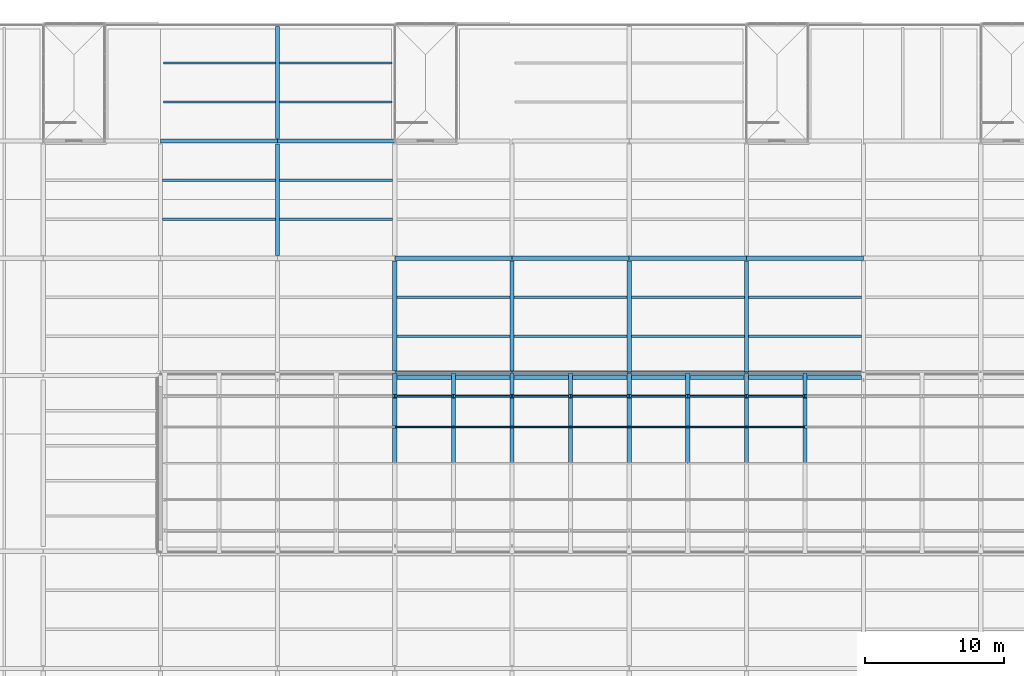
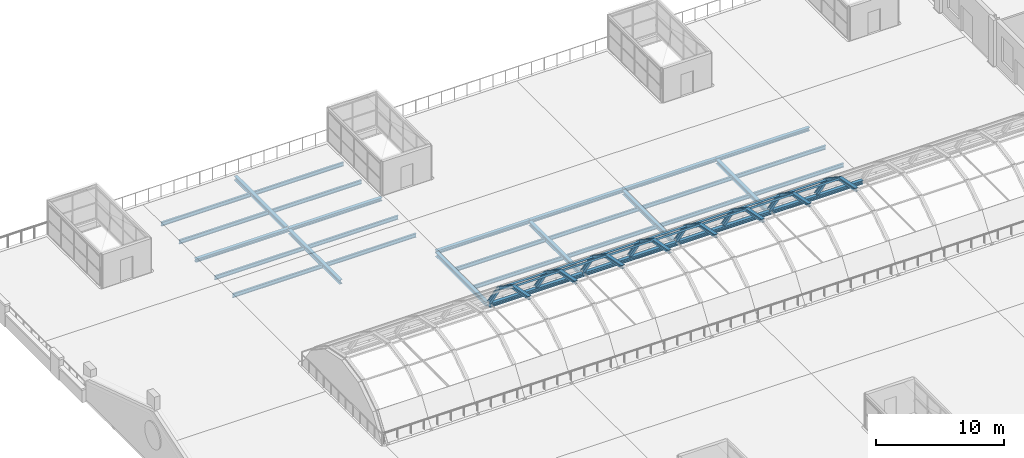
# One storey, part 19 of 58: 38 members, 36 beams.
"""IFC4 building model written with IfcOpenShell, lengths in metres."""

from ifc_helpers import new_model, si_unit, direction, frame, origin, origin_2d, place, context, subcontext, project, spatial, hollow_rectangle, i_section, extrude, material, material_profile, profile_set, type_object, element, save


model = new_model("IFC4")

# Units and contexts
model_context = context("Model", 3, precision=1e-05, world=origin(), true_north=direction((0.0, 1.0)))
body_context = subcontext(model_context, "Body", "Model", "MODEL_VIEW")
ifc_project = project(units=[si_unit("LENGTHUNIT", "METRE"), si_unit("AREAUNIT", "SQUARE_METRE"), si_unit("VOLUMEUNIT", "CUBIC_METRE"), si_unit("PLANEANGLEUNIT", "RADIAN"), si_unit("MASSUNIT", "GRAM", prefix="KILO")], contexts=[model_context])

# Site, building, storey
site_placement = place(None, origin())
site = spatial("IfcSite", under=ifc_project, at=site_placement, CompositionType="ELEMENT")
building_placement = place(site_placement, origin())
building = spatial("IfcBuilding", under=site, at=building_placement, Name="Galleria Vessillo Department Store", CompositionType="ELEMENT")
storey_placement = place(building_placement, frame((0.0, 0.0, 31.199951171875)))
storey = spatial("IfcBuildingStorey", under=building, at=storey_placement, Name="L06", CompositionType="ELEMENT", Elevation=31.199951171875)

# Beams
ifc_material_1 = material(Name="Steel S355 J2", Category="steel")
ifc_material_profile_1 = material_profile(ifc_material_1, i_section(OverallWidth=0.300048828125, OverallDepth=0.389892578125, WebThickness=0.010986328125, FlangeThickness=0.01904296875, FilletRadius=0.027099609375, at=origin_2d()), Name="HEA 400")
ifc_profile_set_1 = profile_set([ifc_material_profile_1], Name="Steel S355 J2")
beam_type_1 = type_object("IfcBeamType", Name="Floor girder HEA 400", PredefinedType="BEAM", material=ifc_profile_set_1)
for number, where, z_axis, x_axis, name in (
    (1, (25.199951171875, 46.400146484375, -0.39501953125), (0.0, 1.0, 0.0), (-1.0, 0.0, 0.0), "S-BM-L06-GI-y25200-46400"),
    (2, (25.199951171875, 54.800048828125, -0.39501953125), (0.0, 1.0, 0.0), (-1.0, 0.0, 0.0), "S-BM-L06-GI-y25200-54800"),
):
    element("IfcBeam", number, at=place(storey_placement, frame(where, z_axis=z_axis, x_axis=x_axis)), inside=storey, type_object=beam_type_1, Name=name, PredefinedType="BEAM", context=body_context, shape_type="SweptSolid", body=[
        extrude(i_section(OverallWidth=0.300048828125, OverallDepth=0.389892578125, WebThickness=0.010986328125, FlangeThickness=0.01904296875, FilletRadius=0.027099609375, at=origin_2d()), origin(), (0.0, 0.0, 1.0), 7.999755859375),
    ])
for number, where, z_axis, x_axis, name in (
    (3, (33.60009765625, 38.110107421875, -0.39501953125), (0.0, 1.0, 0.0), (-1.0, 0.0, 0.0), "S-BM-L06-GI-y33600-38110"),
    (4, (42.0, 38.110107421875, -0.39501953125), (0.0, 1.0, 0.0), (-1.0, 0.0, 0.0), "S-BM-L06-GI-y42000-38110"),
):
    element("IfcBeam", number, at=place(storey_placement, frame(where, z_axis=z_axis, x_axis=x_axis)), inside=storey, type_object=beam_type_1, Name=name, PredefinedType="BEAM", context=body_context, shape_type="SweptSolid", body=[
        extrude(i_section(OverallWidth=0.300048828125, OverallDepth=0.389892578125, WebThickness=0.010986328125, FlangeThickness=0.01904296875, FilletRadius=0.027099609375, at=origin_2d()), origin(), (0.0, 0.0, 1.0), 7.8896484375),
    ])
for number, where, z_axis, x_axis, name in (
    (5, (50.39990234375, 38.06201171875, -0.39501953125), (0.0, 1.0, 0.0), (-1.0, 0.0, 0.0), "S-BM-L06-GI-y50400-38062"),
    (6, (58.800048828125, 38.06201171875, -0.39501953125), (0.0, 1.0, 0.0), (-1.0, 0.0, 0.0), "S-BM-L06-GI-y58800-38062"),
):
    element("IfcBeam", number, at=place(storey_placement, frame(where, z_axis=z_axis, x_axis=x_axis)), inside=storey, type_object=beam_type_1, Name=name, PredefinedType="BEAM", context=body_context, shape_type="SweptSolid", body=[
        extrude(i_section(OverallWidth=0.300048828125, OverallDepth=0.389892578125, WebThickness=0.010986328125, FlangeThickness=0.01904296875, FilletRadius=0.027099609375, at=origin_2d()), origin(), (0.0, 0.0, 1.0), 7.937744140625),
    ])
ifc_material_2 = material(Name="Steel S355 J2", Category="steel")
ifc_material_profile_2 = material_profile(ifc_material_2, i_section(OverallWidth=0.169921875, OverallDepth=0.360107421875, WebThickness=0.008056640625, FlangeThickness=0.0126953125, FilletRadius=0.01806640625, at=origin_2d()), Name="IPE 360")
ifc_profile_set_2 = profile_set([ifc_material_profile_2], Name="Steel S355 J2")
beam_type_2 = type_object("IfcBeamType", Name="Floor joist IPE 360", PredefinedType="JOIST", material=ifc_profile_set_2)
for number, where, z_axis, x_axis, name in (
    (7, (16.9501953125, 49.0, -0.3798828125), (1.0, 0.0, 0.0), (0.0, 1.0, 0.0), "S-BM-L06-JO-x49000-16950"),
    (8, (16.9501953125, 51.800048828125, -0.3798828125), (1.0, 0.0, 0.0), (0.0, 1.0, 0.0), "S-BM-L06-JO-x51800-16950"),
):
    element("IfcBeam", number, at=place(storey_placement, frame(where, z_axis=z_axis, x_axis=x_axis)), inside=storey, type_object=beam_type_2, Name=name, PredefinedType="JOIST", context=body_context, shape_type="SweptSolid", body=[
        extrude(i_section(OverallWidth=0.169921875, OverallDepth=0.360107421875, WebThickness=0.008056640625, FlangeThickness=0.0126953125, FilletRadius=0.01806640625, at=origin_2d()), origin(), (0.0, 0.0, 1.0), 8.099609375),
    ])
for number, where, z_axis, x_axis, name in (
    (9, (17.000244140625, 57.39990234375, -0.3798828125), (1.0, 0.0, 0.0), (0.0, 1.0, 0.0), "S-BM-L06-JO-x57400-17000"),
    (10, (17.000244140625, 60.199951171875, -0.3798828125), (1.0, 0.0, 0.0), (0.0, 1.0, 0.0), "S-BM-L06-JO-x60200-17000"),
):
    element("IfcBeam", number, at=place(storey_placement, frame(where, z_axis=z_axis, x_axis=x_axis)), inside=storey, type_object=beam_type_2, Name=name, PredefinedType="JOIST", context=body_context, shape_type="SweptSolid", body=[
        extrude(i_section(OverallWidth=0.169921875, OverallDepth=0.360107421875, WebThickness=0.008056640625, FlangeThickness=0.0126953125, FilletRadius=0.01806640625, at=origin_2d()), origin(), (0.0, 0.0, 1.0), 8.049560546875),
    ])
for number, where, z_axis, x_axis, name in (
    (11, (25.35009765625, 49.0, -0.3798828125), (1.0, 0.0, 0.0), (0.0, 1.0, 0.0), "S-BM-L06-JO-x49000-25350"),
    (12, (25.35009765625, 51.800048828125, -0.3798828125), (1.0, 0.0, 0.0), (0.0, 1.0, 0.0), "S-BM-L06-JO-x51800-25350"),
):
    element("IfcBeam", number, at=place(storey_placement, frame(where, z_axis=z_axis, x_axis=x_axis)), inside=storey, type_object=beam_type_2, Name=name, PredefinedType="JOIST", context=body_context, shape_type="SweptSolid", body=[
        extrude(i_section(OverallWidth=0.169921875, OverallDepth=0.360107421875, WebThickness=0.008056640625, FlangeThickness=0.0126953125, FilletRadius=0.01806640625, at=origin_2d()), origin(), (0.0, 0.0, 1.0), 8.099853515625),
    ])
for number, where, z_axis, x_axis, name in (
    (13, (25.35009765625, 57.39990234375, -0.3798828125), (1.0, 0.0, 0.0), (0.0, 1.0, 0.0), "S-BM-L06-JO-x57400-25350"),
    (14, (25.35009765625, 60.199951171875, -0.3798828125), (1.0, 0.0, 0.0), (0.0, 1.0, 0.0), "S-BM-L06-JO-x60200-25350"),
):
    element("IfcBeam", number, at=place(storey_placement, frame(where, z_axis=z_axis, x_axis=x_axis)), inside=storey, type_object=beam_type_2, Name=name, PredefinedType="JOIST", context=body_context, shape_type="SweptSolid", body=[
        extrude(i_section(OverallWidth=0.169921875, OverallDepth=0.360107421875, WebThickness=0.008056640625, FlangeThickness=0.0126953125, FilletRadius=0.01806640625, at=origin_2d()), origin(), (0.0, 0.0, 1.0), 8.0498046875),
    ])
for number, where, z_axis, x_axis, name in (
    (15, (33.750244140625, 40.60009765625, -0.3798828125), (1.0, 0.0, 0.0), (0.0, 1.0, 0.0), "S-BM-L06-JO-x40600-33750"),
    (16, (33.750244140625, 43.39990234375, -0.3798828125), (1.0, 0.0, 0.0), (0.0, 1.0, 0.0), "S-BM-L06-JO-x43400-33750"),
    (17, (42.150146484375, 40.60009765625, -0.3798828125), (1.0, 0.0, 0.0), (0.0, 1.0, 0.0), "S-BM-L06-JO-x40600-42150"),
    (18, (42.150146484375, 43.39990234375, -0.3798828125), (1.0, 0.0, 0.0), (0.0, 1.0, 0.0), "S-BM-L06-JO-x43400-42150"),
):
    element("IfcBeam", number, at=place(storey_placement, frame(where, z_axis=z_axis, x_axis=x_axis)), inside=storey, type_object=beam_type_2, Name=name, PredefinedType="JOIST", context=body_context, shape_type="SweptSolid", body=[
        extrude(i_section(OverallWidth=0.169921875, OverallDepth=0.360107421875, WebThickness=0.008056640625, FlangeThickness=0.0126953125, FilletRadius=0.01806640625, at=origin_2d()), origin(), (0.0, 0.0, 1.0), 8.099609375),
    ])
for number, where, z_axis, x_axis, name in (
    (19, (50.550048828125, 40.60009765625, -0.3798828125), (1.0, 0.0, 0.0), (0.0, 1.0, 0.0), "S-BM-L06-JO-x40600-50550"),
    (20, (50.550048828125, 43.39990234375, -0.3798828125), (1.0, 0.0, 0.0), (0.0, 1.0, 0.0), "S-BM-L06-JO-x43400-50550"),
):
    element("IfcBeam", number, at=place(storey_placement, frame(where, z_axis=z_axis, x_axis=x_axis)), inside=storey, type_object=beam_type_2, Name=name, PredefinedType="JOIST", context=body_context, shape_type="SweptSolid", body=[
        extrude(i_section(OverallWidth=0.169921875, OverallDepth=0.360107421875, WebThickness=0.008056640625, FlangeThickness=0.0126953125, FilletRadius=0.01806640625, at=origin_2d()), origin(), (0.0, 0.0, 1.0), 8.099853515625),
    ])
for number, where, z_axis, x_axis, name in (
    (21, (58.9501953125, 40.60009765625, -0.3798828125), (1.0, 0.0, 0.0), (0.0, 1.0, 0.0), "S-BM-L06-JO-x40600-58950"),
    (22, (58.9501953125, 43.39990234375, -0.3798828125), (1.0, 0.0, 0.0), (0.0, 1.0, 0.0), "S-BM-L06-JO-x43400-58950"),
):
    element("IfcBeam", number, at=place(storey_placement, frame(where, z_axis=z_axis, x_axis=x_axis)), inside=storey, type_object=beam_type_2, Name=name, PredefinedType="JOIST", context=body_context, shape_type="SweptSolid", body=[
        extrude(i_section(OverallWidth=0.169921875, OverallDepth=0.360107421875, WebThickness=0.008056640625, FlangeThickness=0.0126953125, FilletRadius=0.01806640625, at=origin_2d()), origin(), (0.0, 0.0, 1.0), 8.099609375),
    ])
ifc_material_3 = material(Name="Steel S355 J2", Category="steel")
ifc_material_profile_3 = material_profile(ifc_material_3, i_section(OverallWidth=0.300048828125, OverallDepth=0.31005859375, WebThickness=0.009033203125, FlangeThickness=0.015380859375, FilletRadius=0.027099609375, at=origin_2d()), Name="HEA 320")
ifc_profile_set_3 = profile_set([ifc_material_profile_3], Name="Steel S355 J2")
beam_type_3 = type_object("IfcBeamType", Name="Floor tie girder HEA 320", PredefinedType="BEAM", material=ifc_profile_set_3)
for number, where, z_axis, x_axis, name in (
    (23, (33.60693359375, 46.199951171875, -0.35498046875), (1.0, 0.0, 0.0), (0.0, 1.0, 0.0), "S-BM-L06-TI-x46200-33607"),
    (24, (42.0068359375, 46.199951171875, -0.35498046875), (1.0, 0.0, 0.0), (0.0, 1.0, 0.0), "S-BM-L06-TI-x46200-42007"),
    (25, (50.406982421875, 46.199951171875, -0.35498046875), (1.0, 0.0, 0.0), (0.0, 1.0, 0.0), "S-BM-L06-TI-x46200-50407"),
    (26, (58.806884765625, 46.199951171875, -0.35498046875), (1.0, 0.0, 0.0), (0.0, 1.0, 0.0), "S-BM-L06-TI-x46200-58807"),
    (27, (16.806884765625, 54.60009765625, -0.35498046875), (1.0, 0.0, 0.0), (0.0, 1.0, 0.0), "S-BM-L06-TI-x54600-16807"),
    (28, (25.206787109375, 54.60009765625, -0.35498046875), (1.0, 0.0, 0.0), (0.0, 1.0, 0.0), "S-BM-L06-TI-x54600-25207"),
):
    element("IfcBeam", number, at=place(storey_placement, frame(where, z_axis=z_axis, x_axis=x_axis)), inside=storey, type_object=beam_type_3, Name=name, PredefinedType="BEAM", context=body_context, shape_type="SweptSolid", body=[
        extrude(i_section(OverallWidth=0.300048828125, OverallDepth=0.31005859375, WebThickness=0.009033203125, FlangeThickness=0.015380859375, FilletRadius=0.027099609375, at=origin_2d()), origin(), (0.0, 0.0, 1.0), 8.38623046875),
    ])
ifc_material_4 = material(Name="Steel S355 J2", Category="steel")
ifc_material_profile_4 = material_profile(ifc_material_4, i_section(OverallWidth=0.300048828125, OverallDepth=0.389892578125, WebThickness=0.010986328125, FlangeThickness=0.01904296875, FilletRadius=0.027099609375, at=origin_2d()), Name="HEA 400")
ifc_profile_set_4 = profile_set([ifc_material_profile_4], Name="Steel S355 J2")
beam_type_4 = type_object("IfcBeamType", Name="Trimmer beam HEA 400", PredefinedType="BEAM", material=ifc_profile_set_4)
for number, where, z_axis, x_axis, name in (
    (29, (33.610595703125, 37.949951171875, -0.39501953125), (1.0, 0.0, 0.0), (0.0, 1.0, 0.0), "S-BM-L06-TR-x37950-33611"),
    (30, (42.0107421875, 37.949951171875, -0.39501953125), (1.0, 0.0, 0.0), (0.0, 1.0, 0.0), "S-BM-L06-TR-x37950-42011"),
    (31, (50.41064453125, 37.949951171875, -0.39501953125), (1.0, 0.0, 0.0), (0.0, 1.0, 0.0), "S-BM-L06-TR-x37950-50411"),
):
    element("IfcBeam", number, at=place(storey_placement, frame(where, z_axis=z_axis, x_axis=x_axis)), inside=storey, type_object=beam_type_4, Name=name, PredefinedType="BEAM", context=body_context, shape_type="SweptSolid", body=[
        extrude(i_section(OverallWidth=0.300048828125, OverallDepth=0.389892578125, WebThickness=0.010986328125, FlangeThickness=0.01904296875, FilletRadius=0.027099609375, at=origin_2d()), origin(), (0.0, 0.0, 1.0), 8.378662109375),
    ])
beam_1_placement = place(storey_placement, frame((58.810546875, 37.949951171875, -0.39501953125), z_axis=(1.0, 0.0, 0.0), x_axis=(0.0, 1.0, 0.0)))
element("IfcBeam", 32, at=beam_1_placement, inside=storey, type_object=beam_type_4, Name="S-BM-L06-TR-x37950-58811", PredefinedType="BEAM", context=body_context, shape_type="SweptSolid", body=[
    extrude(i_section(OverallWidth=0.300048828125, OverallDepth=0.389892578125, WebThickness=0.010986328125, FlangeThickness=0.01904296875, FilletRadius=0.027099609375, at=origin_2d()), origin(), (0.0, 0.0, 1.0), 8.37890625),
])

# Members
ifc_material_5 = material(Name="Steel S355 J2", Category="steel")
ifc_material_profile_5 = material_profile(ifc_material_5, hollow_rectangle(XDim=0.10009765625, YDim=0.14990234375, WallThickness=0.008056640625, at=origin_2d()), Name="RHS 150x100x8")
ifc_profile_set_5 = profile_set([ifc_material_profile_5], Name="Steel S355 J2")
member_type_1 = type_object("IfcMemberType", Name="Vault purlin RHS 150x100x8", PredefinedType="PURLIN", material=ifc_profile_set_5)
for number, where, z_axis, x_axis, name in (
    (33, (33.604248046875, 34.107421875, 3.682373046875), (1.0, 0.0, 0.0), (0.0, 0.924144726715, -0.38204256842), "S-VP-4-05"),
    (34, (37.80419921875, 34.107421875, 3.682373046875), (1.0, 0.0, 0.0), (0.0, 0.924144726715, -0.38204256842), "S-VP-4-06"),
    (35, (42.004150390625, 34.107421875, 3.682373046875), (1.0, 0.0, 0.0), (0.0, 0.924144726715, -0.38204256842), "S-VP-4-07"),
    (36, (46.2041015625, 34.107421875, 3.682373046875), (1.0, 0.0, 0.0), (0.0, 0.924144726715, -0.38204256842), "S-VP-4-08"),
):
    element("IfcMember", number, at=place(storey_placement, frame(where, z_axis=z_axis, x_axis=x_axis)), inside=storey, type_object=member_type_1, Name=name, PredefinedType="PURLIN", context=body_context, shape_type="SweptSolid", body=[
        extrude(hollow_rectangle(XDim=0.10009765625, YDim=0.14990234375, WallThickness=0.008056640625, at=origin_2d()), origin(), (0.0, 0.0, 1.0), 4.191650390625),
    ])
member_1_placement = place(storey_placement, frame((50.404052734375, 34.107421875, 3.682373046875), z_axis=(1.0, 0.0, 0.0), x_axis=(0.0, 0.924144726715, -0.38204256842)))
element("IfcMember", 37, at=member_1_placement, inside=storey, type_object=member_type_1, Name="S-VP-4-09", PredefinedType="PURLIN", context=body_context, shape_type="SweptSolid", body=[
    extrude(hollow_rectangle(XDim=0.10009765625, YDim=0.14990234375, WallThickness=0.008056640625, at=origin_2d()), origin(), (0.0, 0.0, 1.0), 4.19189453125),
])
for number, where, z_axis, x_axis, name in (
    (38, (54.604248046875, 34.107421875, 3.682373046875), (1.0, 0.0, 0.0), (0.0, 0.924144726715, -0.38204256842), "S-VP-4-10"),
    (39, (58.80419921875, 34.107421875, 3.682373046875), (1.0, 0.0, 0.0), (0.0, 0.924144726715, -0.38204256842), "S-VP-4-11"),
    (40, (33.604248046875, 36.3193359375, 2.207763671875), (1.0, 0.0, 0.0), (0.0, 0.708077368705, -0.70613485959), "S-VP-5-05"),
    (41, (37.80419921875, 36.3193359375, 2.207763671875), (1.0, 0.0, 0.0), (0.0, 0.708077368705, -0.70613485959), "S-VP-5-06"),
    (42, (42.004150390625, 36.3193359375, 2.207763671875), (1.0, 0.0, 0.0), (0.0, 0.708077368705, -0.70613485959), "S-VP-5-07"),
    (43, (46.2041015625, 36.3193359375, 2.207763671875), (1.0, 0.0, 0.0), (0.0, 0.708077368705, -0.70613485959), "S-VP-5-08"),
):
    element("IfcMember", number, at=place(storey_placement, frame(where, z_axis=z_axis, x_axis=x_axis)), inside=storey, type_object=member_type_1, Name=name, PredefinedType="PURLIN", context=body_context, shape_type="SweptSolid", body=[
        extrude(hollow_rectangle(XDim=0.10009765625, YDim=0.14990234375, WallThickness=0.008056640625, at=origin_2d()), origin(), (0.0, 0.0, 1.0), 4.191650390625),
    ])
member_2_placement = place(storey_placement, frame((50.404052734375, 36.3193359375, 2.207763671875), z_axis=(1.0, 0.0, 0.0), x_axis=(0.0, 0.708077368705, -0.70613485959)))
element("IfcMember", 44, at=member_2_placement, inside=storey, type_object=member_type_1, Name="S-VP-5-09", PredefinedType="PURLIN", context=body_context, shape_type="SweptSolid", body=[
    extrude(hollow_rectangle(XDim=0.10009765625, YDim=0.14990234375, WallThickness=0.008056640625, at=origin_2d()), origin(), (0.0, 0.0, 1.0), 4.19189453125),
])
for number, where, z_axis, x_axis, name in (
    (45, (54.604248046875, 36.3193359375, 2.207763671875), (1.0, 0.0, 0.0), (0.0, 0.708077368705, -0.70613485959), "S-VP-5-10"),
    (46, (58.80419921875, 36.3193359375, 2.207763671875), (1.0, 0.0, 0.0), (0.0, 0.708077368705, -0.70613485959), "S-VP-5-11"),
):
    element("IfcMember", number, at=place(storey_placement, frame(where, z_axis=z_axis, x_axis=x_axis)), inside=storey, type_object=member_type_1, Name=name, PredefinedType="PURLIN", context=body_context, shape_type="SweptSolid", body=[
        extrude(hollow_rectangle(XDim=0.10009765625, YDim=0.14990234375, WallThickness=0.008056640625, at=origin_2d()), origin(), (0.0, 0.0, 1.0), 4.191650390625),
    ])
ifc_material_6 = material(Name="Steel S355 J2", Category="steel")
ifc_material_profile_6 = material_profile(ifc_material_6, i_section(OverallWidth=0.300048828125, OverallDepth=0.2900390625, WebThickness=0.008544921875, FlangeThickness=0.013916015625, FilletRadius=0.027099609375, at=origin_2d()), Name="HEA 300")
ifc_profile_set_6 = profile_set([ifc_material_profile_6], Name="Steel S355 J2")
member_type_2 = type_object("IfcMemberType", Name="Vault rib HEA 300", PredefinedType="RAFTER", material=ifc_profile_set_6)
member_3_placement = place(storey_placement, frame((33.60009765625, 31.5, 4.199951171875), z_axis=(0.0, 0.980862245521, -0.194702992557), x_axis=(-1.0, 0.0, 0.0)))
element("IfcMember", 47, at=member_3_placement, inside=storey, type_object=member_type_2, Name="S-VR-05-4", PredefinedType="RAFTER", context=body_context, shape_type="SweptSolid", body=[
    extrude(i_section(OverallWidth=0.300048828125, OverallDepth=0.2900390625, WebThickness=0.008544921875, FlangeThickness=0.013916015625, FilletRadius=0.027099609375, at=origin_2d()), origin(), (0.0, 0.0, 1.0), 2.658203125),
])
member_4_placement = place(storey_placement, frame((33.60009765625, 34.107421875, 3.682373046875), z_axis=(0.0, 0.832050294338, -0.554700196225), x_axis=(-1.0, 0.0, 0.0)))
element("IfcMember", 48, at=member_4_placement, inside=storey, type_object=member_type_2, Name="S-VR-05-5", PredefinedType="RAFTER", context=body_context, shape_type="SweptSolid", body=[
    extrude(i_section(OverallWidth=0.300048828125, OverallDepth=0.2900390625, WebThickness=0.008544921875, FlangeThickness=0.013916015625, FilletRadius=0.027099609375, at=origin_2d()), origin(), (0.0, 0.0, 1.0), 2.658447265625),
])
member_5_placement = place(storey_placement, frame((33.60009765625, 36.3193359375, 2.207763671875), z_axis=(0.0, 0.557008391095, -0.830506864661), x_axis=(-1.0, 0.0, 0.0)))
element("IfcMember", 49, at=member_5_placement, inside=storey, type_object=member_type_2, Name="S-VR-05-6", PredefinedType="RAFTER", context=body_context, shape_type="SweptSolid", body=[
    extrude(i_section(OverallWidth=0.300048828125, OverallDepth=0.2900390625, WebThickness=0.008544921875, FlangeThickness=0.013916015625, FilletRadius=0.027099609375, at=origin_2d()), origin(), (0.0, 0.0, 1.0), 2.755615234375),
])
member_6_placement = place(storey_placement, frame((37.800048828125, 31.5, 4.199951171875), z_axis=(0.0, 0.980862245521, -0.194702992557), x_axis=(-1.0, 0.0, 0.0)))
element("IfcMember", 50, at=member_6_placement, inside=storey, type_object=member_type_2, Name="S-VR-06-4", PredefinedType="RAFTER", context=body_context, shape_type="SweptSolid", body=[
    extrude(i_section(OverallWidth=0.300048828125, OverallDepth=0.2900390625, WebThickness=0.008544921875, FlangeThickness=0.013916015625, FilletRadius=0.027099609375, at=origin_2d()), origin(), (0.0, 0.0, 1.0), 2.658203125),
])
member_7_placement = place(storey_placement, frame((37.800048828125, 34.107421875, 3.682373046875), z_axis=(0.0, 0.832050294338, -0.554700196225), x_axis=(-1.0, 0.0, 0.0)))
element("IfcMember", 51, at=member_7_placement, inside=storey, type_object=member_type_2, Name="S-VR-06-5", PredefinedType="RAFTER", context=body_context, shape_type="SweptSolid", body=[
    extrude(i_section(OverallWidth=0.300048828125, OverallDepth=0.2900390625, WebThickness=0.008544921875, FlangeThickness=0.013916015625, FilletRadius=0.027099609375, at=origin_2d()), origin(), (0.0, 0.0, 1.0), 2.658447265625),
])
member_8_placement = place(storey_placement, frame((37.800048828125, 36.3193359375, 2.207763671875), z_axis=(0.0, 0.557008391095, -0.830506864661), x_axis=(-1.0, 0.0, 0.0)))
element("IfcMember", 52, at=member_8_placement, inside=storey, type_object=member_type_2, Name="S-VR-06-6", PredefinedType="RAFTER", context=body_context, shape_type="SweptSolid", body=[
    extrude(i_section(OverallWidth=0.300048828125, OverallDepth=0.2900390625, WebThickness=0.008544921875, FlangeThickness=0.013916015625, FilletRadius=0.027099609375, at=origin_2d()), origin(), (0.0, 0.0, 1.0), 2.755615234375),
])
member_9_placement = place(storey_placement, frame((42.0, 31.5, 4.199951171875), z_axis=(0.0, 0.980862245521, -0.194702992557), x_axis=(-1.0, 0.0, 0.0)))
element("IfcMember", 53, at=member_9_placement, inside=storey, type_object=member_type_2, Name="S-VR-07-4", PredefinedType="RAFTER", context=body_context, shape_type="SweptSolid", body=[
    extrude(i_section(OverallWidth=0.300048828125, OverallDepth=0.2900390625, WebThickness=0.008544921875, FlangeThickness=0.013916015625, FilletRadius=0.027099609375, at=origin_2d()), origin(), (0.0, 0.0, 1.0), 2.658203125),
])
member_10_placement = place(storey_placement, frame((42.0, 34.107421875, 3.682373046875), z_axis=(0.0, 0.832050294338, -0.554700196225), x_axis=(-1.0, 0.0, 0.0)))
element("IfcMember", 54, at=member_10_placement, inside=storey, type_object=member_type_2, Name="S-VR-07-5", PredefinedType="RAFTER", context=body_context, shape_type="SweptSolid", body=[
    extrude(i_section(OverallWidth=0.300048828125, OverallDepth=0.2900390625, WebThickness=0.008544921875, FlangeThickness=0.013916015625, FilletRadius=0.027099609375, at=origin_2d()), origin(), (0.0, 0.0, 1.0), 2.658447265625),
])
member_11_placement = place(storey_placement, frame((42.0, 36.3193359375, 2.207763671875), z_axis=(0.0, 0.557008391095, -0.830506864661), x_axis=(-1.0, 0.0, 0.0)))
element("IfcMember", 55, at=member_11_placement, inside=storey, type_object=member_type_2, Name="S-VR-07-6", PredefinedType="RAFTER", context=body_context, shape_type="SweptSolid", body=[
    extrude(i_section(OverallWidth=0.300048828125, OverallDepth=0.2900390625, WebThickness=0.008544921875, FlangeThickness=0.013916015625, FilletRadius=0.027099609375, at=origin_2d()), origin(), (0.0, 0.0, 1.0), 2.755615234375),
])
member_12_placement = place(storey_placement, frame((46.199951171875, 31.5, 4.199951171875), z_axis=(0.0, 0.980862245521, -0.194702992557), x_axis=(-1.0, 0.0, 0.0)))
element("IfcMember", 56, at=member_12_placement, inside=storey, type_object=member_type_2, Name="S-VR-08-4", PredefinedType="RAFTER", context=body_context, shape_type="SweptSolid", body=[
    extrude(i_section(OverallWidth=0.300048828125, OverallDepth=0.2900390625, WebThickness=0.008544921875, FlangeThickness=0.013916015625, FilletRadius=0.027099609375, at=origin_2d()), origin(), (0.0, 0.0, 1.0), 2.658203125),
])
member_13_placement = place(storey_placement, frame((46.199951171875, 34.107421875, 3.682373046875), z_axis=(0.0, 0.832050294338, -0.554700196225), x_axis=(-1.0, 0.0, 0.0)))
element("IfcMember", 57, at=member_13_placement, inside=storey, type_object=member_type_2, Name="S-VR-08-5", PredefinedType="RAFTER", context=body_context, shape_type="SweptSolid", body=[
    extrude(i_section(OverallWidth=0.300048828125, OverallDepth=0.2900390625, WebThickness=0.008544921875, FlangeThickness=0.013916015625, FilletRadius=0.027099609375, at=origin_2d()), origin(), (0.0, 0.0, 1.0), 2.658447265625),
])
member_14_placement = place(storey_placement, frame((46.199951171875, 36.3193359375, 2.207763671875), z_axis=(0.0, 0.557008391095, -0.830506864661), x_axis=(-1.0, 0.0, 0.0)))
element("IfcMember", 58, at=member_14_placement, inside=storey, type_object=member_type_2, Name="S-VR-08-6", PredefinedType="RAFTER", context=body_context, shape_type="SweptSolid", body=[
    extrude(i_section(OverallWidth=0.300048828125, OverallDepth=0.2900390625, WebThickness=0.008544921875, FlangeThickness=0.013916015625, FilletRadius=0.027099609375, at=origin_2d()), origin(), (0.0, 0.0, 1.0), 2.755615234375),
])
member_15_placement = place(storey_placement, frame((50.39990234375, 31.5, 4.199951171875), z_axis=(0.0, 0.980862245521, -0.194702992557), x_axis=(-1.0, 0.0, 0.0)))
element("IfcMember", 59, at=member_15_placement, inside=storey, type_object=member_type_2, Name="S-VR-09-4", PredefinedType="RAFTER", context=body_context, shape_type="SweptSolid", body=[
    extrude(i_section(OverallWidth=0.300048828125, OverallDepth=0.2900390625, WebThickness=0.008544921875, FlangeThickness=0.013916015625, FilletRadius=0.027099609375, at=origin_2d()), origin(), (0.0, 0.0, 1.0), 2.658203125),
])
member_16_placement = place(storey_placement, frame((50.39990234375, 34.107421875, 3.682373046875), z_axis=(0.0, 0.832050294338, -0.554700196225), x_axis=(-1.0, 0.0, 0.0)))
element("IfcMember", 60, at=member_16_placement, inside=storey, type_object=member_type_2, Name="S-VR-09-5", PredefinedType="RAFTER", context=body_context, shape_type="SweptSolid", body=[
    extrude(i_section(OverallWidth=0.300048828125, OverallDepth=0.2900390625, WebThickness=0.008544921875, FlangeThickness=0.013916015625, FilletRadius=0.027099609375, at=origin_2d()), origin(), (0.0, 0.0, 1.0), 2.658447265625),
])
member_17_placement = place(storey_placement, frame((50.39990234375, 36.3193359375, 2.207763671875), z_axis=(0.0, 0.557008391095, -0.830506864661), x_axis=(-1.0, 0.0, 0.0)))
element("IfcMember", 61, at=member_17_placement, inside=storey, type_object=member_type_2, Name="S-VR-09-6", PredefinedType="RAFTER", context=body_context, shape_type="SweptSolid", body=[
    extrude(i_section(OverallWidth=0.300048828125, OverallDepth=0.2900390625, WebThickness=0.008544921875, FlangeThickness=0.013916015625, FilletRadius=0.027099609375, at=origin_2d()), origin(), (0.0, 0.0, 1.0), 2.755615234375),
])
member_18_placement = place(storey_placement, frame((54.60009765625, 31.5, 4.199951171875), z_axis=(0.0, 0.980862245521, -0.194702992557), x_axis=(-1.0, 0.0, 0.0)))
element("IfcMember", 62, at=member_18_placement, inside=storey, type_object=member_type_2, Name="S-VR-10-4", PredefinedType="RAFTER", context=body_context, shape_type="SweptSolid", body=[
    extrude(i_section(OverallWidth=0.300048828125, OverallDepth=0.2900390625, WebThickness=0.008544921875, FlangeThickness=0.013916015625, FilletRadius=0.027099609375, at=origin_2d()), origin(), (0.0, 0.0, 1.0), 2.658203125),
])
member_19_placement = place(storey_placement, frame((54.60009765625, 34.107421875, 3.682373046875), z_axis=(0.0, 0.832050294338, -0.554700196225), x_axis=(-1.0, 0.0, 0.0)))
element("IfcMember", 63, at=member_19_placement, inside=storey, type_object=member_type_2, Name="S-VR-10-5", PredefinedType="RAFTER", context=body_context, shape_type="SweptSolid", body=[
    extrude(i_section(OverallWidth=0.300048828125, OverallDepth=0.2900390625, WebThickness=0.008544921875, FlangeThickness=0.013916015625, FilletRadius=0.027099609375, at=origin_2d()), origin(), (0.0, 0.0, 1.0), 2.658447265625),
])
member_20_placement = place(storey_placement, frame((54.60009765625, 36.3193359375, 2.207763671875), z_axis=(0.0, 0.557008391095, -0.830506864661), x_axis=(-1.0, 0.0, 0.0)))
element("IfcMember", 64, at=member_20_placement, inside=storey, type_object=member_type_2, Name="S-VR-10-6", PredefinedType="RAFTER", context=body_context, shape_type="SweptSolid", body=[
    extrude(i_section(OverallWidth=0.300048828125, OverallDepth=0.2900390625, WebThickness=0.008544921875, FlangeThickness=0.013916015625, FilletRadius=0.027099609375, at=origin_2d()), origin(), (0.0, 0.0, 1.0), 2.755615234375),
])
member_21_placement = place(storey_placement, frame((58.800048828125, 31.5, 4.199951171875), z_axis=(0.0, 0.980862245521, -0.194702992557), x_axis=(-1.0, 0.0, 0.0)))
element("IfcMember", 65, at=member_21_placement, inside=storey, type_object=member_type_2, Name="S-VR-11-4", PredefinedType="RAFTER", context=body_context, shape_type="SweptSolid", body=[
    extrude(i_section(OverallWidth=0.300048828125, OverallDepth=0.2900390625, WebThickness=0.008544921875, FlangeThickness=0.013916015625, FilletRadius=0.027099609375, at=origin_2d()), origin(), (0.0, 0.0, 1.0), 2.658203125),
])
member_22_placement = place(storey_placement, frame((58.800048828125, 34.107421875, 3.682373046875), z_axis=(0.0, 0.832050294338, -0.554700196225), x_axis=(-1.0, 0.0, 0.0)))
element("IfcMember", 66, at=member_22_placement, inside=storey, type_object=member_type_2, Name="S-VR-11-5", PredefinedType="RAFTER", context=body_context, shape_type="SweptSolid", body=[
    extrude(i_section(OverallWidth=0.300048828125, OverallDepth=0.2900390625, WebThickness=0.008544921875, FlangeThickness=0.013916015625, FilletRadius=0.027099609375, at=origin_2d()), origin(), (0.0, 0.0, 1.0), 2.658447265625),
])
member_23_placement = place(storey_placement, frame((58.800048828125, 36.3193359375, 2.207763671875), z_axis=(0.0, 0.557008391095, -0.830506864661), x_axis=(-1.0, 0.0, 0.0)))
element("IfcMember", 67, at=member_23_placement, inside=storey, type_object=member_type_2, Name="S-VR-11-6", PredefinedType="RAFTER", context=body_context, shape_type="SweptSolid", body=[
    extrude(i_section(OverallWidth=0.300048828125, OverallDepth=0.2900390625, WebThickness=0.008544921875, FlangeThickness=0.013916015625, FilletRadius=0.027099609375, at=origin_2d()), origin(), (0.0, 0.0, 1.0), 2.755615234375),
])
member_24_placement = place(storey_placement, frame((63.0, 31.5, 4.199951171875), z_axis=(0.0, 0.980862245521, -0.194702992557), x_axis=(-1.0, 0.0, 0.0)))
element("IfcMember", 68, at=member_24_placement, inside=storey, type_object=member_type_2, Name="S-VR-12-4", PredefinedType="RAFTER", context=body_context, shape_type="SweptSolid", body=[
    extrude(i_section(OverallWidth=0.300048828125, OverallDepth=0.2900390625, WebThickness=0.008544921875, FlangeThickness=0.013916015625, FilletRadius=0.027099609375, at=origin_2d()), origin(), (0.0, 0.0, 1.0), 2.658203125),
])
member_25_placement = place(storey_placement, frame((63.0, 34.107421875, 3.682373046875), z_axis=(0.0, 0.832050294338, -0.554700196225), x_axis=(-1.0, 0.0, 0.0)))
element("IfcMember", 69, at=member_25_placement, inside=storey, type_object=member_type_2, Name="S-VR-12-5", PredefinedType="RAFTER", context=body_context, shape_type="SweptSolid", body=[
    extrude(i_section(OverallWidth=0.300048828125, OverallDepth=0.2900390625, WebThickness=0.008544921875, FlangeThickness=0.013916015625, FilletRadius=0.027099609375, at=origin_2d()), origin(), (0.0, 0.0, 1.0), 2.658447265625),
])
member_26_placement = place(storey_placement, frame((63.0, 36.3193359375, 2.207763671875), z_axis=(0.0, 0.557008391095, -0.830506864661), x_axis=(-1.0, 0.0, 0.0)))
element("IfcMember", 70, at=member_26_placement, inside=storey, type_object=member_type_2, Name="S-VR-12-6", PredefinedType="RAFTER", context=body_context, shape_type="SweptSolid", body=[
    extrude(i_section(OverallWidth=0.300048828125, OverallDepth=0.2900390625, WebThickness=0.008544921875, FlangeThickness=0.013916015625, FilletRadius=0.027099609375, at=origin_2d()), origin(), (0.0, 0.0, 1.0), 2.755615234375),
])

# Beams
ifc_material_7 = material(Name="Steel S355 J2", Category="steel")
ifc_material_profile_7 = material_profile(ifc_material_7, i_section(OverallWidth=0.300048828125, OverallDepth=0.300048828125, WebThickness=0.010986328125, FlangeThickness=0.01904296875, FilletRadius=0.027099609375, at=origin_2d()), Name="HEB 300")
ifc_profile_set_7 = profile_set([ifc_material_profile_7], Name="Steel S355 J2")
beam_type_5 = type_object("IfcBeamType", Name="Vault springer beam HEB 300", PredefinedType="BEAM", material=ifc_profile_set_7)
beam_2_placement = place(storey_placement, frame((33.752685546875, 37.64990234375, -0.14990234375), z_axis=(1.0, 0.0, 0.0), x_axis=(0.0, 1.0, 0.0)))
element("IfcBeam", 71, at=beam_2_placement, inside=storey, type_object=beam_type_5, Name="S-VS-N-03", PredefinedType="BEAM", context=body_context, shape_type="SweptSolid", body=[
    extrude(i_section(OverallWidth=0.300048828125, OverallDepth=0.300048828125, WebThickness=0.010986328125, FlangeThickness=0.01904296875, FilletRadius=0.027099609375, at=origin_2d()), origin(), (0.0, 0.0, 1.0), 8.0947265625),
])
beam_3_placement = place(storey_placement, frame((42.152587890625, 37.64990234375, -0.14990234375), z_axis=(1.0, 0.0, 0.0), x_axis=(0.0, 1.0, 0.0)))
element("IfcBeam", 72, at=beam_3_placement, inside=storey, type_object=beam_type_5, Name="S-VS-N-04", PredefinedType="BEAM", context=body_context, shape_type="SweptSolid", body=[
    extrude(i_section(OverallWidth=0.300048828125, OverallDepth=0.300048828125, WebThickness=0.010986328125, FlangeThickness=0.01904296875, FilletRadius=0.027099609375, at=origin_2d()), origin(), (0.0, 0.0, 1.0), 8.09423828125),
])
for number, where, z_axis, x_axis, name in (
    (73, (50.55322265625, 37.64990234375, -0.14990234375), (1.0, 0.0, 0.0), (0.0, 1.0, 0.0), "S-VS-N-05"),
    (74, (58.953125, 37.64990234375, -0.14990234375), (1.0, 0.0, 0.0), (0.0, 1.0, 0.0), "S-VS-N-06"),
):
    element("IfcBeam", number, at=place(storey_placement, frame(where, z_axis=z_axis, x_axis=x_axis)), inside=storey, type_object=beam_type_5, Name=name, PredefinedType="BEAM", context=body_context, shape_type="SweptSolid", body=[
        extrude(i_section(OverallWidth=0.300048828125, OverallDepth=0.300048828125, WebThickness=0.010986328125, FlangeThickness=0.01904296875, FilletRadius=0.027099609375, at=origin_2d()), origin(), (0.0, 0.0, 1.0), 8.09375),
    ])

save(model, "model.ifc")
